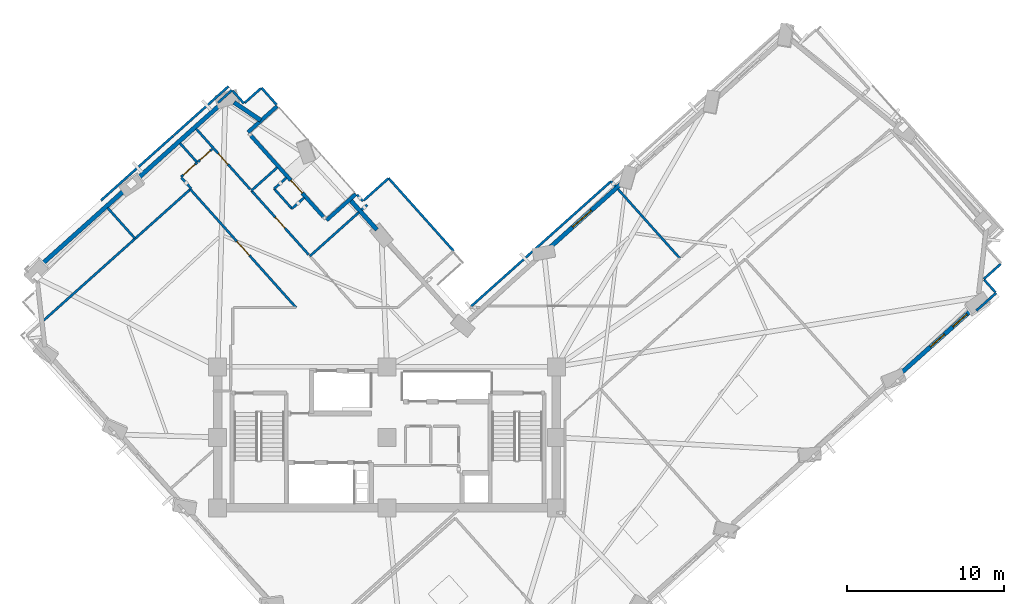
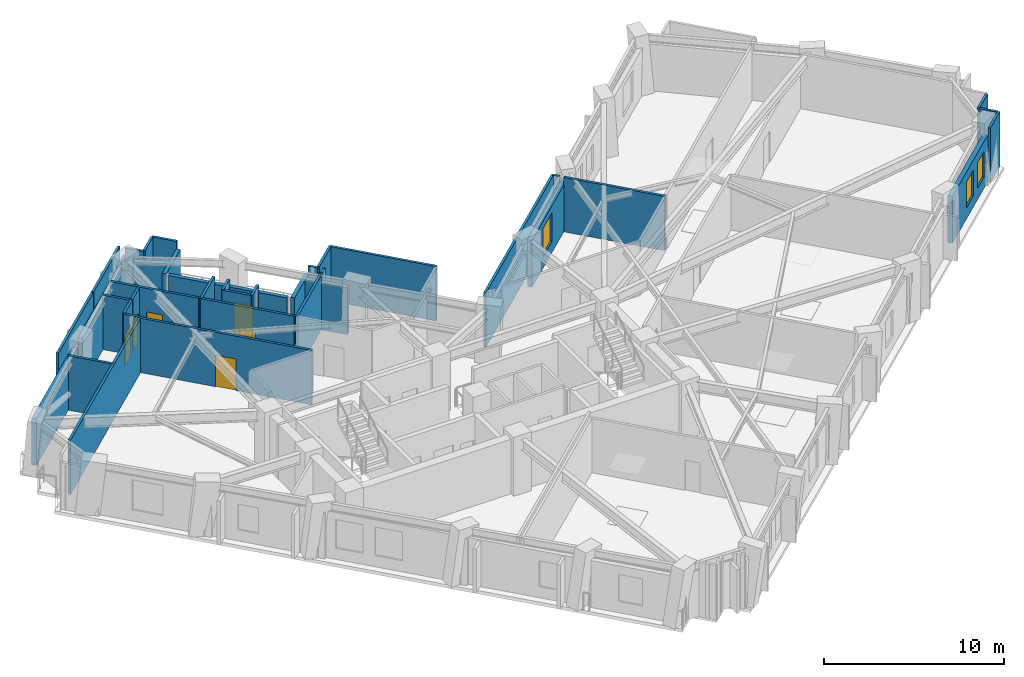
# One storey, part 8 of 14: 39 walls, 6 doors, 3 windows, 9 openings.
"""IFC4 building model written with IfcOpenShell, lengths in metres."""

from ifc_helpers import new_model, si_unit, direction, frame, frame_2d, origin, place, context, subcontext, project, spatial, rectangle, extrude, material, layer, layer_set, type_object, element, fill, save


model = new_model("IFC4")

# Units and contexts
model_context = context("Model", 3, precision=1e-05, world=origin(), true_north=direction((0.0, 1.0)))
body_context = subcontext(model_context, "Body", "Model", "MODEL_VIEW")
ifc_project = project(units=[si_unit("LENGTHUNIT", "METRE"), si_unit("AREAUNIT", "SQUARE_METRE"), si_unit("VOLUMEUNIT", "CUBIC_METRE"), si_unit("PLANEANGLEUNIT", "RADIAN"), si_unit("MASSUNIT", "GRAM", prefix="KILO")], contexts=[model_context])

# Site, building, storey
site_placement = place(None, origin())
site = spatial("IfcSite", under=ifc_project, at=site_placement, CompositionType="ELEMENT")
building_placement = place(site_placement, origin())
building = spatial("IfcBuilding", under=site, at=building_placement, Name="Gaonmaruhae Medical Tower", CompositionType="ELEMENT")
storey_placement = place(building_placement, frame((0.0, 0.0, 201.800048828125)))
storey = spatial("IfcBuildingStorey", under=building, at=storey_placement, Name="L48", CompositionType="ELEMENT", Elevation=201.800048828125)

# Wall, opening, door
ifc_material_1 = material(Name="Precast concrete C45/55", Category="concrete")
ifc_layer_1 = layer(ifc_material_1, 0.239990234375)
ifc_layer_set_1 = layer_set([ifc_layer_1], Name="Precast concrete C45/55")
wall_type_1 = type_object("IfcWallType", Name="EW-240 Ribbon & Shelter Insulated Precast Wall", PredefinedType="SOLIDWALL", material=ifc_layer_set_1)
wall_1_placement = place(storey_placement, frame((16.115966796875, 31.54248046875, 0.0), z_axis=(0.0, 0.0, 1.0), x_axis=(0.666505663581, -0.745499966743, 0.0)))
wall_1 = element("IfcWall", 1, at=wall_1_placement, inside=storey, type_object=wall_type_1, Name="L48 Recessed Terrace Enclosure Wall TERB", PredefinedType="SOLIDWALL", context=body_context, shape_type="SweptSolid", body=[
    extrude(rectangle(XDim=6.9599609375, YDim=0.239990234375, at=frame_2d((3.47998046875, 0.0))), origin(), (0.0, 0.0, 1.0), 3.18505859375),
])
opening_1_placement = place(wall_1_placement, frame((3.819580078125, 0.0, 0.0)))
opening_1 = element("IfcOpeningElement", 2, at=opening_1_placement, cuts=wall_1, Name="Opening TD-01", PredefinedType="OPENING", context=body_context, shape_type="SweptSolid", body=[
    extrude(rectangle(XDim=1.10009765625, YDim=2.14990234375, at=frame_2d((0.550048828125, 1.074951171875))), frame((0.0, 0.1298828125, 0.0), z_axis=(0.0, -1.0, 0.0), x_axis=(1.0, 0.0, 0.0)), (0.0, 0.0, 1.0), 0.260009765625),
])
ifc_material_2 = material(Name="Anodised aluminium and toughened safety glass", Category="aluminium")
door_type_1 = type_object("IfcDoorType", Name="TD-01 Terrace & Sky Garden Glazed Door 1100x2150", OperationType="NOTDEFINED", PredefinedType="DOOR", material=ifc_material_2)
door_1_placement = place(opening_1_placement, origin())
door_1 = element("IfcDoor", 3, at=door_1_placement, inside=storey, type_object=door_type_1, Name="L48 Outdoor Terrace Access Door SLB-L48-TER", OperationType="SINGLE_SWING_RIGHT", OverallHeight=2.14990234375, OverallWidth=1.10009765625, PredefinedType="DOOR", context=body_context, shape_type="SweptSolid", body=[
    extrude(rectangle(XDim=1.10009765625, YDim=2.14990234375, at=frame_2d((0.550048828125, 1.074951171875))), frame((0.0, 0.02490234375, 0.0), z_axis=(0.0, -1.0, 0.0), x_axis=(1.0, 0.0, 0.0)), (0.0, 0.0, 1.0), 0.050048828125),
])
fill(opening_1, door_1)

# Walls
for number, where, z_axis, x_axis, name in (
    (4, (20.941650390625, 26.14501953125, 0.0), (0.0, 0.0, 1.0), (0.745504325209, 0.666500788518, 0.0), "L48 Recessed Terrace Enclosure Wall TERL"),
    (5, (17.79296875, 33.41748046875, 0.0), (0.0, 0.0, 1.0), (-0.745504325209, -0.666500788518, 0.0), "L48 Recessed Terrace Enclosure Wall TERR"),
):
    element("IfcWall", number, at=place(storey_placement, frame(where, z_axis=z_axis, x_axis=x_axis)), inside=storey, type_object=wall_type_1, Name=name, PredefinedType="SOLIDWALL", context=body_context, shape_type="SweptSolid", body=[
        extrude(rectangle(XDim=2.5, YDim=0.239990234375, at=frame_2d((1.25, 0.0))), origin(), (0.0, 0.0, 1.0), 3.18505859375),
    ])

# Wall, openings, windows
ifc_layer_2 = layer(ifc_material_1, 0.280029296875)
ifc_layer_set_2 = layer_set([ifc_layer_2], Name="Precast concrete C45/55")
wall_type_2 = type_object("IfcWallType", Name="EW-280 Upper Precast Masonry-Frame Facade Wall", PredefinedType="SOLIDWALL", material=ifc_layer_set_2)
wall_2_placement = place(storey_placement, frame((62.23095703125, 20.552490234375, 0.0), z_axis=(0.0, 0.0, 1.0), x_axis=(-0.745466301169, -0.666543317288, 0.0)))
wall_2 = element("IfcWall", 6, at=wall_2_placement, inside=storey, type_object=wall_type_2, Name="L48 Precast Masonry-Frame Wall S06-S07", PredefinedType="SOLIDWALL", context=body_context, shape_type="SweptSolid", body=[
    extrude(rectangle(XDim=6.242431640625, YDim=0.280029296875, at=frame_2d((3.12109375, 0.0))), origin(), (0.0, 0.0, 1.0), 3.18505859375),
])
opening_2_placement = place(wall_2_placement, frame((2.525146484375, 0.0, 0.75)))
opening_2 = element("IfcOpeningElement", 7, at=opening_2_placement, cuts=wall_2, Name="Opening WN-05", PredefinedType="OPENING", context=body_context, shape_type="SweptSolid", body=[
    extrude(rectangle(XDim=1.199951171875, YDim=1.75, at=frame_2d((0.60009765625, 0.875))), frame((0.0, 0.14990234375, 0.0), z_axis=(0.0, -1.0, 0.0), x_axis=(1.0, 0.0, 0.0)), (0.0, 0.0, 1.0), 0.300048828125),
])
opening_3_placement = place(wall_2_placement, frame((0.60400390625, 0.0, 0.75)))
opening_3 = element("IfcOpeningElement", 8, at=opening_3_placement, cuts=wall_2, Name="Opening WN-05", PredefinedType="OPENING", context=body_context, shape_type="SweptSolid", body=[
    extrude(rectangle(XDim=1.199951171875, YDim=1.75, at=frame_2d((0.60009765625, 0.875))), frame((0.0, 0.14990234375, 0.0), z_axis=(0.0, -1.0, 0.0), x_axis=(1.0, 0.0, 0.0)), (0.0, 0.0, 1.0), 0.300048828125),
])
ifc_material_3 = material(Name="Anodised aluminium and Low-E double glazing", Category="aluminium")
window_type_1 = type_object("IfcWindowType", Name="WN-05 Support & Staff Punched Window 1200x1750", PartitioningType="SINGLE_PANEL", PredefinedType="WINDOW", material=ifc_material_3)
window_1_placement = place(opening_2_placement, origin())
window_1 = element("IfcWindow", 9, at=window_1_placement, inside=storey, type_object=window_type_1, Name="L48 Modular Facade Window S06", OverallHeight=1.75, OverallWidth=1.199951171875, PartitioningType="SINGLE_PANEL", PredefinedType="WINDOW", context=body_context, shape_type="SweptSolid", body=[
    extrude(rectangle(XDim=1.199951171875, YDim=1.75, at=frame_2d((0.60009765625, 0.875))), frame((0.0, 0.030029296875, 0.0), z_axis=(0.0, -1.0, 0.0), x_axis=(1.0, 0.0, 0.0)), (0.0, 0.0, 1.0), 0.06005859375),
])
fill(opening_2, window_1)
window_2_placement = place(opening_3_placement, origin())
window_2 = element("IfcWindow", 10, at=window_2_placement, inside=storey, type_object=window_type_1, Name="L48 Modular Facade Window S06B", OverallHeight=1.75, OverallWidth=1.199951171875, PartitioningType="SINGLE_PANEL", PredefinedType="WINDOW", context=body_context, shape_type="SweptSolid", body=[
    extrude(rectangle(XDim=1.199951171875, YDim=1.75, at=frame_2d((0.60009765625, 0.875))), frame((0.0, 0.030029296875, 0.0), z_axis=(0.0, -1.0, 0.0), x_axis=(1.0, 0.0, 0.0)), (0.0, 0.0, 1.0), 0.06005859375),
])
fill(opening_3, window_2)

# Wall, opening, window
wall_3_placement = place(storey_placement, frame((35.17626953125, 24.3984375, 0.0), z_axis=(0.0, 0.0, 1.0), x_axis=(0.745469496109, 0.66653974403, 0.0)))
wall_3 = element("IfcWall", 11, at=wall_3_placement, inside=storey, type_object=wall_type_2, Name="L48 Precast Masonry-Frame Wall EN02-EN03", PredefinedType="SOLIDWALL", context=body_context, shape_type="SweptSolid", body=[
    extrude(rectangle(XDim=6.2109375, YDim=0.280029296875, at=frame_2d((3.10546875, 0.0))), origin(), (0.0, 0.0, 1.0), 3.18505859375),
])
opening_4_placement = place(wall_3_placement, frame((1.961181640625, 0.0, 0.75)))
opening_4 = element("IfcOpeningElement", 12, at=opening_4_placement, cuts=wall_3, Name="Opening WN-01", PredefinedType="OPENING", context=body_context, shape_type="SweptSolid", body=[
    extrude(rectangle(XDim=1.60009765625, YDim=1.949951171875, at=frame_2d((0.800048828125, 0.97509765625))), frame((0.0, 0.14990234375, 0.0), z_axis=(0.0, -1.0, 0.0), x_axis=(1.0, 0.0, 0.0)), (0.0, 0.0, 1.0), 0.300048828125),
])
window_type_2 = type_object("IfcWindowType", Name="WN-01 Ward Punched Acoustic Window 1600x1950", PartitioningType="SINGLE_PANEL", PredefinedType="WINDOW", material=ifc_material_3)
window_3_placement = place(opening_4_placement, origin())
window_3 = element("IfcWindow", 13, at=window_3_placement, inside=storey, type_object=window_type_2, Name="L48 Modular Facade Window EN02", OverallHeight=1.949951171875, OverallWidth=1.60009765625, PartitioningType="SINGLE_PANEL", PredefinedType="WINDOW", context=body_context, shape_type="SweptSolid", body=[
    extrude(rectangle(XDim=1.60009765625, YDim=1.949951171875, at=frame_2d((0.800048828125, 0.97509765625))), frame((0.0, 0.030029296875, 0.0), z_axis=(0.0, -1.0, 0.0), x_axis=(1.0, 0.0, 0.0)), (0.0, 0.0, 1.0), 0.06005859375),
])
fill(opening_4, window_3)

# Walls
wall_4_placement = place(storey_placement, frame((24.158935546875, 25.5322265625, 0.0), z_axis=(0.0, 0.0, 1.0), x_axis=(-0.666515579079, 0.745491101788, 0.0)))
element("IfcWall", 14, at=wall_4_placement, inside=storey, type_object=wall_type_2, Name="L48 Precast Masonry-Frame Wall NE01-NE02", PredefinedType="SOLIDWALL", context=body_context, shape_type="SweptSolid", body=[
    extrude(rectangle(XDim=2.581298828125, YDim=0.280029296875, at=frame_2d((1.29052734375, 0.0))), origin(), (0.0, 0.0, 1.0), 3.18505859375),
])
wall_5_placement = place(storey_placement, frame((15.04296875, 33.660400390625, 0.0), z_axis=(0.0, 0.0, 1.0), x_axis=(0.830825907851, -0.556532398736, 0.0)))
element("IfcWall", 15, at=wall_5_placement, inside=storey, type_object=wall_type_2, Name="L48 Precast Masonry-Frame Wall NE02-N01", PredefinedType="SOLIDWALL", context=body_context, shape_type="SweptSolid", body=[
    extrude(rectangle(XDim=2.058837890625, YDim=0.280029296875, at=frame_2d((1.029296875, 0.0))), origin(), (0.0, 0.0, 1.0), 3.18505859375),
])
wall_6_placement = place(storey_placement, frame((8.75830078125, 28.6796875, 0.0), z_axis=(0.0, 0.0, 1.0), x_axis=(0.745474395111, 0.666534264862, 0.0)))
element("IfcWall", 16, at=wall_6_placement, inside=storey, type_object=wall_type_2, Name="L48 Precast Masonry-Frame Wall N01-N02", PredefinedType="SOLIDWALL", context=body_context, shape_type="SweptSolid", body=[
    extrude(rectangle(XDim=7.230712890625, YDim=0.280029296875, at=frame_2d((3.615234375, 0.0))), origin(), (0.0, 0.0, 1.0), 3.18505859375),
])
wall_7_placement = place(storey_placement, frame((2.627197265625, 23.197998046875, 0.0), z_axis=(0.0, 0.0, 1.0), x_axis=(0.745479282524, 0.666528798573, 0.0)))
element("IfcWall", 17, at=wall_7_placement, inside=storey, type_object=wall_type_2, Name="L48 Precast Masonry-Frame Wall N02-N03", PredefinedType="SOLIDWALL", context=body_context, shape_type="SweptSolid", body=[
    extrude(rectangle(XDim=7.27001953125, YDim=0.280029296875, at=frame_2d((3.635009765625, 0.0))), origin(), (0.0, 0.0, 1.0), 3.18505859375),
])
ifc_material_4 = material(Name="Gypsum board partition", Category="gypsum")
ifc_layer_3 = layer(ifc_material_4, 0.14990234375)
ifc_layer_set_3 = layer_set([ifc_layer_3], Name="Gypsum board partition")
wall_type_3 = type_object("IfcWallType", Name="PW-150 Rated Clinical Corridor Partition", PredefinedType="PARTITIONING", material=ifc_layer_set_3)
wall_8_placement = place(storey_placement, frame((63.64208984375, 21.506103515625, 0.0), z_axis=(0.0, 0.0, 1.0), x_axis=(-0.745426670507, -0.666587637822, 0.0)))
element("IfcWall", 18, at=wall_8_placement, inside=storey, type_object=wall_type_3, Name="L48 Interior Partition L48-SUP04-26", PredefinedType="PARTITIONING", context=body_context, shape_type="SweptSolid", body=[
    extrude(rectangle(XDim=1.687744140625, YDim=0.14990234375, at=frame_2d((0.84375, 0.0))), origin(), (0.0, 0.0, 1.0), 3.699951171875),
])
wall_9_placement = place(storey_placement, frame((63.93701171875, 23.35205078125, 0.0), z_axis=(0.0, 0.0, 1.0), x_axis=(-0.74531614601, -0.666711213718, 0.0)))
element("IfcWall", 19, at=wall_9_placement, inside=storey, type_object=wall_type_3, Name="L48 Interior Partition L48-SUP04-31", PredefinedType="PARTITIONING", context=body_context, shape_type="SweptSolid", body=[
    extrude(rectangle(XDim=1.450439453125, YDim=0.14990234375, at=frame_2d((0.72509765625, 0.0))), origin(), (0.0, 0.0, 1.0), 3.699951171875),
])
wall_10_placement = place(storey_placement, frame((62.888916015625, 22.347900390625, 0.0), z_axis=(0.0, 0.0, 1.0), x_axis=(0.666675904184, -0.74534773011, 0.0)))
element("IfcWall", 20, at=wall_10_placement, inside=storey, type_object=wall_type_3, Name="L48 Interior Partition L48-SUP04-32", PredefinedType="PARTITIONING", context=body_context, shape_type="SweptSolid", body=[
    extrude(rectangle(XDim=1.079833984375, YDim=0.14990234375, at=frame_2d((0.5400390625, 0.0))), origin(), (0.0, 0.0, 1.0), 3.699951171875),
])
wall_11_placement = place(storey_placement, frame((2.89990234375, 19.7529296875, 0.0), z_axis=(0.0, 0.0, 1.0), x_axis=(0.745492591752, 0.666513912565, 0.0)))
element("IfcWall", 21, at=wall_11_placement, inside=storey, type_object=wall_type_3, Name="L48 Interior Partition L48-WOF06-44", PredefinedType="PARTITIONING", context=body_context, shape_type="SweptSolid", body=[
    extrude(rectangle(XDim=12.55029296875, YDim=0.14990234375, at=frame_2d((6.275146484375, 0.0))), origin(), (0.0, 0.0, 1.0), 3.699951171875),
])

# Wall, opening, door
wall_12_placement = place(storey_placement, frame((12.256103515625, 28.117919921875, 0.0), z_axis=(0.0, 0.0, 1.0), x_axis=(0.666553455148, -0.745457236487, 0.0)))
wall_12 = element("IfcWall", 22, at=wall_12_placement, inside=storey, type_object=wall_type_3, Name="L48 Interior Partition L48-WOF06-45", PredefinedType="PARTITIONING", context=body_context, shape_type="SweptSolid", body=[
    extrude(rectangle(XDim=10.11181640625, YDim=0.14990234375, at=frame_2d((5.055908203125, 0.0))), origin(), (0.0, 0.0, 1.0), 3.699951171875),
])
opening_5_placement = place(wall_12_placement, frame((4.455810546875, 0.0, 0.0)))
opening_5 = element("IfcOpeningElement", 23, at=opening_5_placement, cuts=wall_12, Name="Opening CD-02", PredefinedType="OPENING", context=body_context, shape_type="SweptSolid", body=[
    extrude(rectangle(XDim=1.199951171875, YDim=2.14990234375, at=frame_2d((0.60009765625, 1.074951171875))), frame((0.0, 0.0849609375, 0.0), z_axis=(0.0, -1.0, 0.0), x_axis=(1.0, 0.0, 0.0)), (0.0, 0.0, 1.0), 0.169921875),
])
ifc_material_5 = material(Name="Antimicrobial laminate timber fire door", Category="wood")
door_type_2 = type_object("IfcDoorType", Name="CD-02 Clinical Treatment & Procedure Door 1200x2150", OperationType="NOTDEFINED", PredefinedType="DOOR", material=ifc_material_5)
door_2_placement = place(opening_5_placement, origin())
door_2 = element("IfcDoor", 24, at=door_2_placement, inside=storey, type_object=door_type_2, Name="L48 Ward Physician Reporting Office Door", OperationType="SINGLE_SWING_LEFT", OverallHeight=2.14990234375, OverallWidth=1.199951171875, PredefinedType="DOOR", context=body_context, shape_type="SweptSolid", body=[
    extrude(rectangle(XDim=1.199951171875, YDim=2.14990234375, at=frame_2d((0.60009765625, 1.074951171875))), frame((0.0, 0.02490234375, 0.0), z_axis=(0.0, -1.0, 0.0), x_axis=(1.0, 0.0, 0.0)), (0.0, 0.0, 1.0), 0.050048828125),
])
fill(opening_5, door_2)

# Walls
wall_13_placement = place(storey_placement, frame((30.080078125, 20.580078125, 0.0), z_axis=(0.0, 0.0, 1.0), x_axis=(0.745505625265, 0.666499334357, 0.0)))
element("IfcWall", 25, at=wall_13_placement, inside=storey, type_object=wall_type_3, Name="L48 Interior Partition L48-IE01-48", PredefinedType="PARTITIONING", context=body_context, shape_type="SweptSolid", body=[
    extrude(rectangle(XDim=12.076171875, YDim=0.14990234375, at=frame_2d((6.0380859375, 0.0))), origin(), (0.0, 0.0, 1.0), 3.699951171875),
])
wall_14_placement = place(storey_placement, frame((39.0830078125, 28.62890625, 0.0), z_axis=(0.0, 0.0, 1.0), x_axis=(0.667008184931, -0.745050388387, 0.0)))
element("IfcWall", 26, at=wall_14_placement, inside=storey, type_object=wall_type_3, Name="L48 Interior Partition L48-IE01-49", PredefinedType="PARTITIONING", context=body_context, shape_type="SweptSolid", body=[
    extrude(rectangle(XDim=0.434814453125, YDim=0.14990234375, at=frame_2d((0.21728515625, 0.0))), origin(), (0.0, 0.0, 1.0), 3.699951171875),
])
wall_15_placement = place(storey_placement, frame((39.52587890625, 28.133056640625, 0.0), z_axis=(0.0, 0.0, 1.0), x_axis=(0.666703315067, -0.745323211553, 0.0)))
element("IfcWall", 27, at=wall_15_placement, inside=storey, type_object=wall_type_3, Name="L48 Interior Partition L48-IE01-50", PredefinedType="PARTITIONING", context=body_context, shape_type="SweptSolid", body=[
    extrude(rectangle(XDim=5.925048828125, YDim=0.14990234375, at=frame_2d((2.96240234375, 0.0))), origin(), (0.0, 0.0, 1.0), 3.699951171875),
])
wall_16_placement = place(storey_placement, frame((19.885986328125, 23.860107421875, 0.0), z_axis=(0.0, 0.0, 1.0), x_axis=(0.745581471628, 0.666414487512, 0.0)))
element("IfcWall", 28, at=wall_16_placement, inside=storey, type_object=wall_type_3, Name="L48 Interior Partition L48-IN01-59", PredefinedType="PARTITIONING", context=body_context, shape_type="SweptSolid", body=[
    extrude(rectangle(XDim=4.184814453125, YDim=0.14990234375, at=frame_2d((2.09228515625, 0.0))), origin(), (0.0, 0.0, 1.0), 3.699951171875),
])
wall_17_placement = place(storey_placement, frame((23.177001953125, 26.802978515625, 0.0), z_axis=(0.0, 0.0, 1.0), x_axis=(0.746214363491, 0.665705733579, 0.0)))
element("IfcWall", 29, at=wall_17_placement, inside=storey, type_object=wall_type_3, Name="L48 Interior Partition L48-IN01-60", PredefinedType="PARTITIONING", context=body_context, shape_type="SweptSolid", body=[
    extrude(rectangle(XDim=0.485107421875, YDim=0.14990234375, at=frame_2d((0.24267578125, 0.0))), origin(), (0.0, 0.0, 1.0), 3.699951171875),
])

# Wall, opening, door
wall_18_placement = place(storey_placement, frame((19.805908203125, 23.948974609375, 0.0), z_axis=(0.0, 0.0, 1.0), x_axis=(-0.666490112364, 0.745513869838, 0.0)))
wall_18 = element("IfcWall", 30, at=wall_18_placement, inside=storey, type_object=wall_type_3, Name="L48 Interior Partition L48-IN02-66", PredefinedType="PARTITIONING", context=body_context, shape_type="SweptSolid", body=[
    extrude(rectangle(XDim=5.480712890625, YDim=0.14990234375, at=frame_2d((2.740234375, 0.0))), origin(), (0.0, 0.0, 1.0), 3.699951171875),
])
opening_6_placement = place(wall_18_placement, frame((2.280517578125, 0.0, 0.0)))
opening_6 = element("IfcOpeningElement", 31, at=opening_6_placement, cuts=wall_18, Name="Opening UD-01", PredefinedType="OPENING", context=body_context, shape_type="SweptSolid", body=[
    extrude(rectangle(XDim=0.919921875, YDim=2.10009765625, at=frame_2d((0.4599609375, 1.050048828125))), frame((0.0, 0.0849609375, 0.0), z_axis=(0.0, -1.0, 0.0), x_axis=(1.0, 0.0, 0.0)), (0.0, 0.0, 1.0), 0.169921875),
])
ifc_material_6 = material(Name="Powder-coated steel utility door", Category="steel")
door_type_3 = type_object("IfcDoorType", Name="UD-01 Toilet, Utility & Housekeeping Door 920x2100", OperationType="NOTDEFINED", PredefinedType="DOOR", material=ifc_material_6)
door_3_placement = place(opening_6_placement, origin())
door_3 = element("IfcDoor", 32, at=door_3_placement, inside=storey, type_object=door_type_3, Name="L48 Ward Nutrition Pantry Door", OperationType="SINGLE_SWING_LEFT", OverallHeight=2.10009765625, OverallWidth=0.919921875, PredefinedType="DOOR", context=body_context, shape_type="SweptSolid", body=[
    extrude(rectangle(XDim=0.919921875, YDim=2.10009765625, at=frame_2d((0.4599609375, 1.050048828125))), frame((0.0, 0.02490234375, 0.0), z_axis=(0.0, -1.0, 0.0), x_axis=(1.0, 0.0, 0.0)), (0.0, 0.0, 1.0), 0.050048828125),
])
fill(opening_6, door_3)

# Walls
wall_19_placement = place(storey_placement, frame((16.153076171875, 28.034912109375, 0.0), z_axis=(0.0, 0.0, 1.0), x_axis=(0.745667750991, 0.666317945978, 0.0)))
element("IfcWall", 33, at=wall_19_placement, inside=storey, type_object=wall_type_3, Name="L48 Interior Partition L48-IN02-67", PredefinedType="PARTITIONING", context=body_context, shape_type="SweptSolid", body=[
    extrude(rectangle(XDim=2.21533203125, YDim=0.14990234375, at=frame_2d((1.107666015625, 0.0))), origin(), (0.0, 0.0, 1.0), 3.699951171875),
])
wall_20_placement = place(storey_placement, frame((18.39111328125, 28.85498046875, 0.0), z_axis=(0.0, 0.0, 1.0), x_axis=(-0.74588840019, -0.666070938011, 0.0)))
element("IfcWall", 34, at=wall_20_placement, inside=storey, type_object=wall_type_3, Name="L48 Interior Partition L48-IN02-68", PredefinedType="PARTITIONING", context=body_context, shape_type="SweptSolid", body=[
    extrude(rectangle(XDim=1.05517578125, YDim=0.14990234375, at=frame_2d((0.527587890625, 0.0))), origin(), (0.0, 0.0, 1.0), 3.699951171875),
])
wall_21_placement = place(storey_placement, frame((17.60400390625, 28.152099609375, 0.0), z_axis=(0.0, 0.0, 1.0), x_axis=(0.666899772094, -0.745147431037, 0.0)))
element("IfcWall", 35, at=wall_21_placement, inside=storey, type_object=wall_type_3, Name="L48 Interior Partition L48-IN02-69", PredefinedType="PARTITIONING", context=body_context, shape_type="SweptSolid", body=[
    extrude(rectangle(XDim=1.700439453125, YDim=0.14990234375, at=frame_2d((0.85009765625, 0.0))), origin(), (0.0, 0.0, 1.0), 3.699951171875),
])
wall_22_placement = place(storey_placement, frame((18.738037109375, 26.885009765625, 0.0), z_axis=(0.0, 0.0, 1.0), x_axis=(0.745374531652, 0.666645938685, 0.0)))
element("IfcWall", 36, at=wall_22_placement, inside=storey, type_object=wall_type_3, Name="L48 Interior Partition L48-IN02-70", PredefinedType="PARTITIONING", context=body_context, shape_type="SweptSolid", body=[
    extrude(rectangle(XDim=1.054443359375, YDim=0.14990234375, at=frame_2d((0.52734375, 0.0))), origin(), (0.0, 0.0, 1.0), 3.699951171875),
])
wall_23_placement = place(storey_placement, frame((22.89208984375, 27.77392578125, 0.0), z_axis=(0.0, 0.0, 1.0), x_axis=(0.667283955709, -0.74480341195, 0.0)))
element("IfcWall", 37, at=wall_23_placement, inside=storey, type_object=wall_type_3, Name="L48 Interior Partition L48-IN02-71", PredefinedType="PARTITIONING", context=body_context, shape_type="SweptSolid", body=[
    extrude(rectangle(XDim=0.55419921875, YDim=0.14990234375, at=frame_2d((0.277099609375, 0.0))), origin(), (0.0, 0.0, 1.0), 3.699951171875),
])
wall_24_placement = place(storey_placement, frame((16.7958984375, 34.592041015625, 0.0), z_axis=(0.0, 0.0, 1.0), x_axis=(0.666456118224, -0.745544259238, 0.0)))
element("IfcWall", 38, at=wall_24_placement, inside=storey, type_object=wall_type_3, Name="L48 Interior Partition L48-IN03-72", PredefinedType="PARTITIONING", context=body_context, shape_type="SweptSolid", body=[
    extrude(rectangle(XDim=1.453857421875, YDim=0.14990234375, at=frame_2d((0.72705078125, 0.0))), origin(), (0.0, 0.0, 1.0), 3.699951171875),
])

# Wall, opening, door
wall_25_placement = place(storey_placement, frame((16.072998046875, 28.1240234375, 0.0), z_axis=(0.0, 0.0, 1.0), x_axis=(-0.666490030892, 0.745513942674, 0.0)))
wall_25 = element("IfcWall", 39, at=wall_25_placement, inside=storey, type_object=wall_type_3, Name="L48 Interior Partition L48-IN03-73", PredefinedType="PARTITIONING", context=body_context, shape_type="SweptSolid", body=[
    extrude(rectangle(XDim=5.1748046875, YDim=0.14990234375, at=frame_2d((2.58740234375, 0.0))), origin(), (0.0, 0.0, 1.0), 3.699951171875),
])
opening_7_placement = place(wall_25_placement, frame((2.12744140625, 0.0, 0.0)))
opening_7 = element("IfcOpeningElement", 40, at=opening_7_placement, cuts=wall_25, Name="Opening UD-01", PredefinedType="OPENING", context=body_context, shape_type="SweptSolid", body=[
    extrude(rectangle(XDim=0.919921875, YDim=2.10009765625, at=frame_2d((0.4599609375, 1.050048828125))), frame((0.0, 0.0849609375, 0.0), z_axis=(0.0, -1.0, 0.0), x_axis=(1.0, 0.0, 0.0)), (0.0, 0.0, 1.0), 0.169921875),
])
door_4_placement = place(opening_7_placement, origin())
door_4 = element("IfcDoor", 41, at=door_4_placement, inside=storey, type_object=door_type_3, Name="L48 Public Visitor Toilet Door", OperationType="SINGLE_SWING_LEFT", OverallHeight=2.10009765625, OverallWidth=0.919921875, PredefinedType="DOOR", context=body_context, shape_type="SweptSolid", body=[
    extrude(rectangle(XDim=0.919921875, YDim=2.10009765625, at=frame_2d((0.4599609375, 1.050048828125))), frame((0.0, 0.02490234375, 0.0), z_axis=(0.0, -1.0, 0.0), x_axis=(1.0, 0.0, 0.0)), (0.0, 0.0, 1.0), 0.050048828125),
])
fill(opening_7, door_4)

# Walls
wall_26_placement = place(storey_placement, frame((14.02197265625, 33.64111328125, 0.0), z_axis=(0.0, 0.0, 1.0), x_axis=(0.745613144613, 0.666379050226, 0.0)))
element("IfcWall", 42, at=wall_26_placement, inside=storey, type_object=wall_type_3, Name="L48 Interior Partition L48-IN03-74", PredefinedType="PARTITIONING", context=body_context, shape_type="SweptSolid", body=[
    extrude(rectangle(XDim=1.20166015625, YDim=0.14990234375, at=frame_2d((0.600830078125, 0.0))), origin(), (0.0, 0.0, 1.0), 3.18505859375),
])
wall_27_placement = place(storey_placement, frame((14.950927734375, 34.405029296875, 0.0), z_axis=(0.0, 0.0, 1.0), x_axis=(0.666611630462, -0.745405214721, 0.0)))
element("IfcWall", 43, at=wall_27_placement, inside=storey, type_object=wall_type_3, Name="L48 Interior Partition L48-IN03-75", PredefinedType="PARTITIONING", context=body_context, shape_type="SweptSolid", body=[
    extrude(rectangle(XDim=1.090576171875, YDim=0.14990234375, at=frame_2d((0.54541015625, 0.0))), origin(), (0.0, 0.0, 1.0), 3.699951171875),
])
wall_28_placement = place(storey_placement, frame((15.715087890625, 33.625, 0.0), z_axis=(0.0, 0.0, 1.0), x_axis=(0.745232197137, 0.666805048234, 0.0)))
element("IfcWall", 44, at=wall_28_placement, inside=storey, type_object=wall_type_3, Name="L48 Interior Partition L48-IN03-76", PredefinedType="PARTITIONING", context=body_context, shape_type="SweptSolid", body=[
    extrude(rectangle(XDim=1.40087890625, YDim=0.14990234375, at=frame_2d((0.700439453125, 0.0))), origin(), (0.0, 0.0, 1.0), 3.699951171875),
])
wall_29_placement = place(storey_placement, frame((11.675048828125, 28.873046875, 0.0), z_axis=(0.0, 0.0, 1.0), x_axis=(0.666546862145, -0.745463131593, 0.0)))
element("IfcWall", 45, at=wall_29_placement, inside=storey, type_object=wall_type_3, Name="L48 Interior Partition L48-RM02-77", PredefinedType="PARTITIONING", context=body_context, shape_type="SweptSolid", body=[
    extrude(rectangle(XDim=0.94970703125, YDim=0.14990234375, at=frame_2d((0.474853515625, 0.0))), origin(), (0.0, 0.0, 1.0), 3.699951171875),
])
wall_30_placement = place(storey_placement, frame((8.72412109375, 24.987060546875, 0.0), z_axis=(0.0, 0.0, 1.0), x_axis=(-0.66647010562, 0.745531755404, 0.0)))
element("IfcWall", 46, at=wall_30_placement, inside=storey, type_object=wall_type_3, Name="L48 Interior Partition L48-RM02-78", PredefinedType="PARTITIONING", context=body_context, shape_type="SweptSolid", body=[
    extrude(rectangle(XDim=2.615478515625, YDim=0.14990234375, at=frame_2d((1.3076171875, 0.0))), origin(), (0.0, 0.0, 1.0), 3.699951171875),
])
wall_31_placement = place(storey_placement, frame((6.55810546875, 27.409912109375, 0.0), z_axis=(0.0, 0.0, 1.0), x_axis=(0.745508461456, 0.666496161953, 0.0)))
element("IfcWall", 47, at=wall_31_placement, inside=storey, type_object=wall_type_3, Name="L48 Interior Partition L48-RM02-79", PredefinedType="PARTITIONING", context=body_context, shape_type="SweptSolid", body=[
    extrude(rectangle(XDim=6.18896484375, YDim=0.14990234375, at=frame_2d((3.094482421875, 0.0))), origin(), (0.0, 0.0, 1.0), 3.699951171875),
])
wall_32_placement = place(storey_placement, frame((11.594970703125, 31.06201171875, 0.0), z_axis=(0.0, 0.0, 1.0), x_axis=(0.666721590139, -0.74530686381, 0.0)))
element("IfcWall", 48, at=wall_32_placement, inside=storey, type_object=wall_type_3, Name="L48 Interior Partition L48-RM02-80", PredefinedType="PARTITIONING", context=body_context, shape_type="SweptSolid", body=[
    extrude(rectangle(XDim=1.65576171875, YDim=0.14990234375, at=frame_2d((0.827880859375, 0.0))), origin(), (0.0, 0.0, 1.0), 3.699951171875),
])

# Wall, opening, door
wall_33_placement = place(storey_placement, frame((12.698974609375, 29.827880859375, 0.0), z_axis=(0.0, 0.0, 1.0), x_axis=(-0.745729403565, -0.666248944959, 0.0)))
wall_33 = element("IfcWall", 49, at=wall_33_placement, inside=storey, type_object=wall_type_3, Name="L48 Interior Partition L48-RM02-81", PredefinedType="PARTITIONING", context=body_context, shape_type="SweptSolid", body=[
    extrude(rectangle(XDim=1.373046875, YDim=0.14990234375, at=frame_2d((0.6865234375, 0.0))), origin(), (0.0, 0.0, 1.0), 3.699951171875),
])
opening_8_placement = place(wall_33_placement, frame((0.1865234375, 0.0, 0.0)))
opening_8 = element("IfcOpeningElement", 50, at=opening_8_placement, cuts=wall_33, Name="Opening CD-01", PredefinedType="OPENING", context=body_context, shape_type="SweptSolid", body=[
    extrude(rectangle(XDim=1.0, YDim=2.1201171875, at=frame_2d((0.5, 1.06005859375))), frame((0.0, 0.0849609375, 0.0), z_axis=(0.0, -1.0, 0.0), x_axis=(1.0, 0.0, 0.0)), (0.0, 0.0, 1.0), 0.169921875),
])
door_type_4 = type_object("IfcDoorType", Name="CD-01 Consultation & Physician Office Door 1000x2120", OperationType="NOTDEFINED", PredefinedType="DOOR", material=ifc_material_5)
door_5_placement = place(opening_8_placement, origin())
door_5 = element("IfcDoor", 51, at=door_5_placement, inside=storey, type_object=door_type_4, Name="L48 Care Team Clinical Charting Office Door", OperationType="SINGLE_SWING_LEFT", OverallHeight=2.1201171875, OverallWidth=1.0, PredefinedType="DOOR", context=body_context, shape_type="SweptSolid", body=[
    extrude(rectangle(XDim=1.0, YDim=2.1201171875, at=frame_2d((0.5, 1.06005859375))), frame((0.0, 0.02490234375, 0.0), z_axis=(0.0, -1.0, 0.0), x_axis=(1.0, 0.0, 0.0)), (0.0, 0.0, 1.0), 0.050048828125),
])
fill(opening_8, door_5)

wall_34_placement = place(storey_placement, frame((13.653076171875, 30.680908203125, 0.0), z_axis=(0.0, 0.0, 1.0), x_axis=(-0.745795662785, -0.666174773893, 0.0)))
wall_34 = element("IfcWall", 52, at=wall_34_placement, inside=storey, type_object=wall_type_3, Name="L48 Interior Partition L48-RM03-82", PredefinedType="PARTITIONING", context=body_context, shape_type="SweptSolid", body=[
    extrude(rectangle(XDim=1.220458984375, YDim=0.14990234375, at=frame_2d((0.6103515625, 0.0))), origin(), (0.0, 0.0, 1.0), 3.699951171875),
])
opening_9_placement = place(wall_34_placement, frame((0.18017578125, 0.0, 0.0)))
opening_9 = element("IfcOpeningElement", 53, at=opening_9_placement, cuts=wall_34, Name="Opening AD-01", PredefinedType="OPENING", context=body_context, shape_type="SweptSolid", body=[
    extrude(rectangle(XDim=0.860107421875, YDim=2.06005859375, at=frame_2d((0.43017578125, 1.030029296875))), frame((0.0, 0.0849609375, 0.0), z_axis=(0.0, -1.0, 0.0), x_axis=(1.0, 0.0, 0.0)), (0.0, 0.0, 1.0), 0.169921875),
])
ifc_material_7 = material(Name="Powder-coated steel access door", Category="steel")
door_type_5 = type_object("IfcDoorType", Name="AD-01 Riser & Closet Access Fire Door 860x2060", OperationType="NOTDEFINED", PredefinedType="DOOR", material=ifc_material_7)
door_6_placement = place(opening_9_placement, origin())
door_6 = element("IfcDoor", 54, at=door_6_placement, inside=storey, type_object=door_type_5, Name="L48 Biomedical Mobile Equipment Bay Door", OperationType="SINGLE_SWING_RIGHT", OverallHeight=2.06005859375, OverallWidth=0.860107421875, PredefinedType="DOOR", context=body_context, shape_type="SweptSolid", body=[
    extrude(rectangle(XDim=0.860107421875, YDim=2.06005859375, at=frame_2d((0.43017578125, 1.030029296875))), frame((0.0, 0.02490234375, 0.0), z_axis=(0.0, -1.0, 0.0), x_axis=(1.0, 0.0, 0.0)), (0.0, 0.0, 1.0), 0.050048828125),
])
fill(opening_9, door_6)

# Walls
wall_35_placement = place(storey_placement, frame((11.217041015625, 31.574951171875, 0.0), z_axis=(0.0, 0.0, 1.0), x_axis=(0.745401267381, 0.666616044352, 0.0)))
element("IfcWall", 55, at=wall_35_placement, inside=storey, type_object=wall_type_3, Name="L48 Interior Partition L48-RM03-83", PredefinedType="PARTITIONING", context=body_context, shape_type="SweptSolid", body=[
    extrude(rectangle(XDim=4.669921875, YDim=0.14990234375, at=frame_2d((2.3349609375, 0.0))), origin(), (0.0, 0.0, 1.0), 3.699951171875),
])
wall_36_placement = place(storey_placement, frame((23.321044921875, 27.4140625, 0.0), z_axis=(0.0, 0.0, 1.0), x_axis=(0.745659752228, 0.666326897181, 0.0)))
element("IfcWall", 56, at=wall_36_placement, inside=storey, type_object=wall_type_3, Name="L48 Interior Partition L48-RM04-85", PredefinedType="PARTITIONING", context=body_context, shape_type="SweptSolid", body=[
    extrude(rectangle(XDim=2.120361328125, YDim=0.14990234375, at=frame_2d((1.06005859375, 0.0))), origin(), (0.0, 0.0, 1.0), 3.699951171875),
])
wall_37_placement = place(storey_placement, frame((24.902099609375, 28.826904296875, 0.0), z_axis=(0.0, 0.0, 1.0), x_axis=(0.666516421942, -0.745490348215, 0.0)))
element("IfcWall", 57, at=wall_37_placement, inside=storey, type_object=wall_type_3, Name="L48 Interior Partition L48-RM04-86", PredefinedType="PARTITIONING", context=body_context, shape_type="SweptSolid", body=[
    extrude(rectangle(XDim=6.229248046875, YDim=0.14990234375, at=frame_2d((3.11474609375, 0.0))), origin(), (0.0, 0.0, 1.0), 3.699951171875),
])

save(model, "model.ifc")
